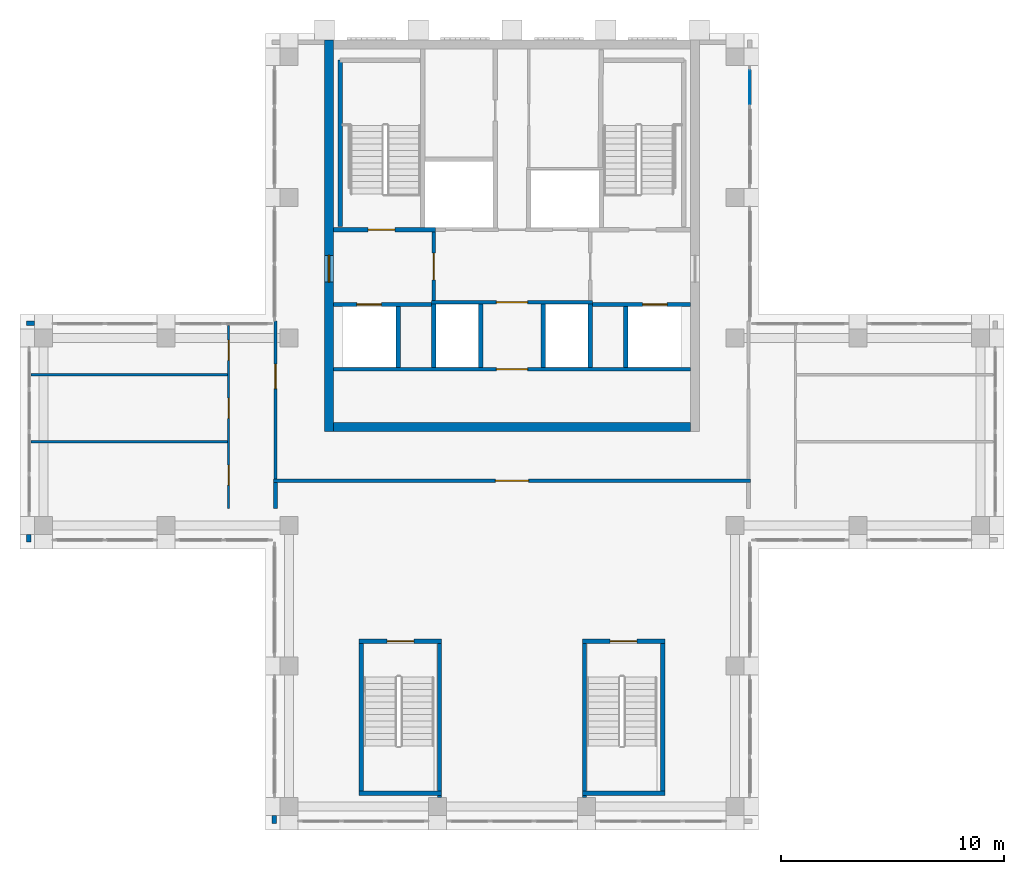
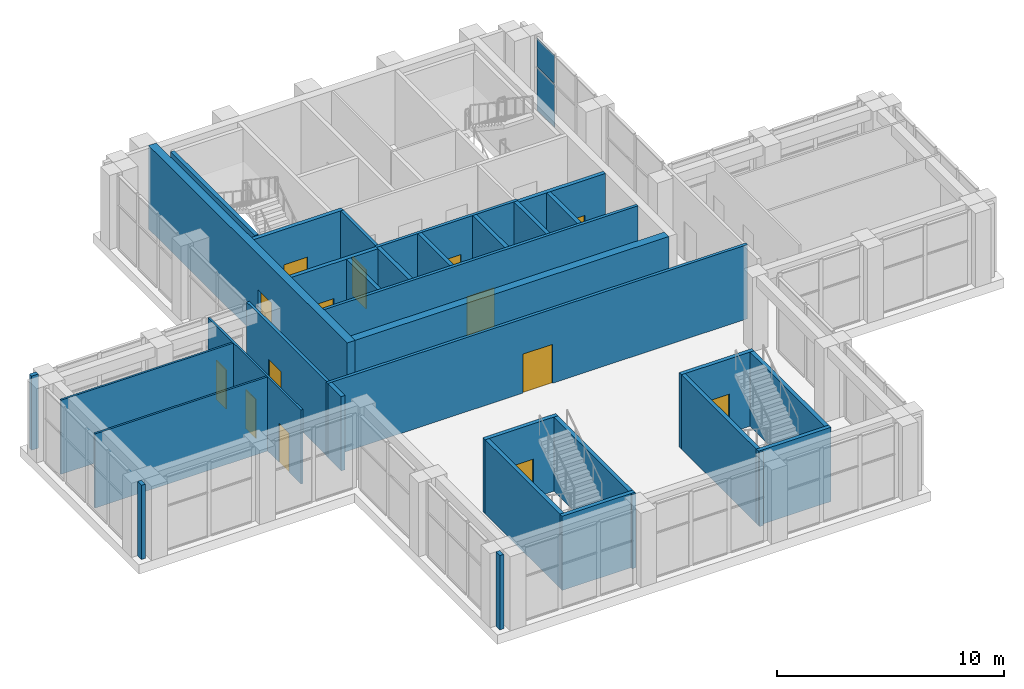
# One storey, part 9 of 14: 32 walls, 14 doors, 2 plates, 14 openings, 1 element without a shape of its own.
"""IFC4 building model written with IfcOpenShell, lengths in metres."""

from ifc_helpers import new_model, si_unit, direction, frame, frame_2d, origin, origin_2d, place, context, subcontext, project, spatial, rectangle, extrude, material, layer, layer_set, type_object, element, fill, aggregate, save


model = new_model("IFC4")

# Units and contexts
model_context = context("Model", 3, precision=1e-05, world=origin(), true_north=direction((0.0, 1.0)))
body_context = subcontext(model_context, "Body", "Model", "MODEL_VIEW")
ifc_project = project(units=[si_unit("LENGTHUNIT", "METRE"), si_unit("AREAUNIT", "SQUARE_METRE"), si_unit("VOLUMEUNIT", "CUBIC_METRE"), si_unit("PLANEANGLEUNIT", "RADIAN"), si_unit("MASSUNIT", "GRAM", prefix="KILO")], contexts=[model_context])

# Site, building, storey
site_placement = place(None, origin())
site = spatial("IfcSite", under=ifc_project, at=site_placement, CompositionType="ELEMENT")
building_placement = place(site_placement, origin())
building = spatial("IfcBuilding", under=site, at=building_placement, Name="Vermilion Ogive Tower", CompositionType="ELEMENT")
storey_placement = place(building_placement, frame((0.0, 0.0, 289.35009765625)))
storey = spatial("IfcBuildingStorey", under=building, at=storey_placement, Name="L75", CompositionType="ELEMENT", Elevation=289.35009765625)

# Curtain wall, plates
ifc_material_1 = material(Name="Low-iron laminated glazing in aluminium frame", Category="aluminium")
curtain_wall_type = type_object("IfcCurtainWallType", Name="Curtain wall CW3", PredefinedType="NOTDEFINED", material=ifc_material_1)
curtain_wall_placement = place(storey_placement, origin())
curtain_wall = element("IfcCurtainWall", 1, at=curtain_wall_placement, inside=storey, type_object=curtain_wall_type, Name="CW3 glazing X42", PredefinedType="NOTDEFINED")
ifc_material_2 = material(Name="Low-iron laminated glazing in aluminium frame", Category="aluminium")
ifc_layer_1 = layer(ifc_material_2, 0.035888671875)
ifc_layer_set_1 = layer_set([ifc_layer_1], Name="CW3 glazing panel 36")
plate_type = type_object("IfcPlateType", Name="CW3 glazing panel 36", PredefinedType="CURTAIN_PANEL", material=ifc_layer_set_1)
plate_1_placement = place(storey_placement, frame((10.64990234375, 19.63330078125, 0.059814453125), z_axis=(0.0, 0.0, 1.0), x_axis=(0.0, 1.0, 0.0)))
plate_1 = element("IfcPlate", 2, at=plate_1_placement, type_object=plate_type, Name="CW3-X42 panel 3.1", PredefinedType="CURTAIN_PANEL", context=body_context, shape_type="SweptSolid", body=[
    extrude(rectangle(XDim=1.533447265625, YDim=0.035888671875, at=origin_2d()), origin(), (0.0, 0.0, 1.0), 2.31005859375),
])
plate_2_placement = place(storey_placement, frame((10.64990234375, 19.63330078125, 2.4296875), z_axis=(0.0, 0.0, 1.0), x_axis=(0.0, 1.0, 0.0)))
plate_2 = element("IfcPlate", 3, at=plate_2_placement, type_object=plate_type, Name="CW3-X42 panel 3.2", PredefinedType="CURTAIN_PANEL", context=body_context, shape_type="SweptSolid", body=[
    extrude(rectangle(XDim=1.533447265625, YDim=0.035888671875, at=origin_2d()), origin(), (0.0, 0.0, 1.0), 1.510009765625),
])
aggregate(curtain_wall, [plate_1, plate_2])

# Wall, opening, door
ifc_material_3 = material(Name="Concrete B60", Category="concrete")
ifc_layer_2 = layer(ifc_material_3, 0.39990234375)
ifc_layer_set_2 = layer_set([ifc_layer_2], Name="Core wall 400 B60")
wall_type_1 = type_object("IfcWallType", Name="Core wall 400 B60", PredefinedType="SHEAR", material=ifc_layer_set_2)
wall_1_placement = place(storey_placement, frame((-8.199951171875, 4.199951171875, -0.5), z_axis=(0.0, 0.0, 1.0), x_axis=(0.0, 1.0, 0.0)))
wall_1 = element("IfcWall", 4, at=wall_1_placement, inside=storey, type_object=wall_type_1, Name="L75-CORE-W", PredefinedType="SHEAR", context=body_context, shape_type="SweptSolid", body=[
    extrude(rectangle(XDim=17.550048828125, YDim=0.39990234375, at=frame_2d((8.77490234375, 0.0))), origin(), (0.0, 0.0, 1.0), 4.5),
])
opening_1_placement = place(wall_1_placement, frame((6.699951171875, 0.0, 0.5)))
opening_1 = element("IfcOpeningElement", 5, at=opening_1_placement, cuts=wall_1, Name="Opening DAZ005", PredefinedType="OPENING", context=body_context, shape_type="SweptSolid", body=[
    extrude(rectangle(XDim=1.199951171875, YDim=2.10009765625, at=frame_2d((0.60009765625, 1.050048828125))), frame((0.0, 0.2099609375, 0.0), z_axis=(0.0, -1.0, 0.0), x_axis=(1.0, 0.0, 0.0)), (0.0, 0.0, 1.0), 0.419921875),
])
ifc_material_4 = material(Name="Timber door leaf", Category="wood")
door_type_1 = type_object("IfcDoorType", Name="Link door 1200 x 2100 FD60S", OperationType="SINGLE_SWING_LEFT", PredefinedType="DOOR", material=ifc_material_4)
door_1_placement = place(opening_1_placement, origin())
door_1 = element("IfcDoor", 6, at=door_1_placement, inside=storey, type_object=door_type_1, Name="L75-CK-XD1", OperationType="SINGLE_SWING_LEFT", OverallHeight=2.10009765625, OverallWidth=1.199951171875, PredefinedType="DOOR", context=body_context, shape_type="SweptSolid", body=[
    extrude(rectangle(XDim=1.199951171875, YDim=2.10009765625, at=frame_2d((0.60009765625, 1.050048828125))), frame((0.0, 0.02490234375, 0.0), z_axis=(0.0, -1.0, 0.0), x_axis=(1.0, 0.0, 0.0)), (0.0, 0.0, 1.0), 0.050048828125),
])
fill(opening_1, door_1)

# Walls
wall_2_placement = place(storey_placement, frame((-8.0, 4.39990234375, -0.5), z_axis=(0.0, 0.0, 1.0), x_axis=(1.0, 0.0, 0.0)))
element("IfcWall", 7, at=wall_2_placement, inside=storey, type_object=wall_type_1, Name="L75-CORE-S", PredefinedType="SHEAR", context=body_context, shape_type="SweptSolid", body=[
    extrude(rectangle(XDim=16.0, YDim=0.39990234375, at=frame_2d((8.0, 0.0))), origin(), (0.0, 0.0, 1.0), 4.5),
])
ifc_material_5 = material(Name="Gypsum board partition on steel studs", Category="steel")
ifc_layer_3 = layer(ifc_material_5, 0.10009765625)
ifc_layer_set_3 = layer_set([ifc_layer_3], Name="Partition 100 bath")
wall_type_2 = type_object("IfcWallType", Name="Partition 100 bath", PredefinedType="PARTITIONING", material=ifc_layer_set_3)
for number, where, z_axis, x_axis, name in (
    (8, (-21.550048828125, 3.75, 0.0), (0.0, 0.0, 1.0), (1.0, 0.0, 0.0), "L75-FS-W-W002"),
    (9, (-21.550048828125, 6.75, 0.0), (0.0, 0.0, 1.0), (1.0, 0.0, 0.0), "L75-FS-W-W004"),
):
    element("IfcWall", number, at=place(storey_placement, frame(where, z_axis=z_axis, x_axis=x_axis)), inside=storey, type_object=wall_type_2, Name=name, PredefinedType="PARTITIONING", context=body_context, shape_type="SweptSolid", body=[
        extrude(rectangle(XDim=8.800048828125, YDim=0.10009765625, at=frame_2d((4.39990234375, 0.0))), origin(), (0.0, 0.0, 1.0), 4.0),
    ])

# Wall, openings, doors
wall_3_placement = place(storey_placement, frame((-12.699951171875, 0.75, 0.0), z_axis=(0.0, 0.0, 1.0), x_axis=(0.0, 1.0, 0.0)))
wall_3 = element("IfcWall", 10, at=wall_3_placement, inside=storey, type_object=wall_type_2, Name="L75-FS-W-W006", PredefinedType="PARTITIONING", context=body_context, shape_type="SweptSolid", body=[
    extrude(rectangle(XDim=8.199951171875, YDim=0.10009765625, at=frame_2d((4.10009765625, 0.0))), origin(), (0.0, 0.0, 1.0), 4.0),
])
opening_2_placement = place(wall_3_placement, frame((1.050048828125, 0.0, 0.0)))
opening_2 = element("IfcOpeningElement", 11, at=opening_2_placement, cuts=wall_3, Name="Opening L75S003", PredefinedType="OPENING", context=body_context, shape_type="SweptSolid", body=[
    extrude(rectangle(XDim=0.89990234375, YDim=2.10009765625, at=frame_2d((0.449951171875, 1.050048828125))), frame((0.0, 0.06005859375, 0.0), z_axis=(0.0, -1.0, 0.0), x_axis=(1.0, 0.0, 0.0)), (0.0, 0.0, 1.0), 0.1201171875),
])
opening_3_placement = place(wall_3_placement, frame((4.050048828125, 0.0, 0.0)))
opening_3 = element("IfcOpeningElement", 12, at=opening_3_placement, cuts=wall_3, Name="Opening L75S004", PredefinedType="OPENING", context=body_context, shape_type="SweptSolid", body=[
    extrude(rectangle(XDim=0.89990234375, YDim=2.10009765625, at=frame_2d((0.449951171875, 1.050048828125))), frame((0.0, 0.06005859375, 0.0), z_axis=(0.0, -1.0, 0.0), x_axis=(1.0, 0.0, 0.0)), (0.0, 0.0, 1.0), 0.1201171875),
])
opening_4_placement = place(wall_3_placement, frame((6.64990234375, 0.0, 0.0)))
opening_4 = element("IfcOpeningElement", 13, at=opening_4_placement, cuts=wall_3, Name="Opening L75S005", PredefinedType="OPENING", context=body_context, shape_type="SweptSolid", body=[
    extrude(rectangle(XDim=0.89990234375, YDim=2.10009765625, at=frame_2d((0.449951171875, 1.050048828125))), frame((0.0, 0.06005859375, 0.0), z_axis=(0.0, -1.0, 0.0), x_axis=(1.0, 0.0, 0.0)), (0.0, 0.0, 1.0), 0.1201171875),
])
ifc_material_6 = material(Name="Timber door leaf", Category="wood")
door_type_2 = type_object("IfcDoorType", Name="Room door 900 x 2100 FD30", OperationType="SINGLE_SWING_LEFT", PredefinedType="DOOR", material=ifc_material_6)
door_2_placement = place(opening_2_placement, origin())
door_2 = element("IfcDoor", 14, at=door_2_placement, inside=storey, type_object=door_type_2, Name="L75-FS-D-D003", OperationType="SINGLE_SWING_LEFT", OverallHeight=2.10009765625, OverallWidth=0.89990234375, PredefinedType="DOOR", context=body_context, shape_type="SweptSolid", body=[
    extrude(rectangle(XDim=0.89990234375, YDim=2.10009765625, at=frame_2d((0.449951171875, 1.050048828125))), frame((0.0, 0.02490234375, 0.0), z_axis=(0.0, -1.0, 0.0), x_axis=(1.0, 0.0, 0.0)), (0.0, 0.0, 1.0), 0.050048828125),
])
fill(opening_2, door_2)
door_3_placement = place(opening_3_placement, origin())
door_3 = element("IfcDoor", 15, at=door_3_placement, inside=storey, type_object=door_type_2, Name="L75-FS-D-D004", OperationType="SINGLE_SWING_LEFT", OverallHeight=2.10009765625, OverallWidth=0.89990234375, PredefinedType="DOOR", context=body_context, shape_type="SweptSolid", body=[
    extrude(rectangle(XDim=0.89990234375, YDim=2.10009765625, at=frame_2d((0.449951171875, 1.050048828125))), frame((0.0, 0.02490234375, 0.0), z_axis=(0.0, -1.0, 0.0), x_axis=(1.0, 0.0, 0.0)), (0.0, 0.0, 1.0), 0.050048828125),
])
fill(opening_3, door_3)
door_4_placement = place(opening_4_placement, origin())
door_4 = element("IfcDoor", 16, at=door_4_placement, inside=storey, type_object=door_type_2, Name="L75-FS-D-D005", OperationType="SINGLE_SWING_LEFT", OverallHeight=2.10009765625, OverallWidth=0.89990234375, PredefinedType="DOOR", context=body_context, shape_type="SweptSolid", body=[
    extrude(rectangle(XDim=0.89990234375, YDim=2.10009765625, at=frame_2d((0.449951171875, 1.050048828125))), frame((0.0, 0.02490234375, 0.0), z_axis=(0.0, -1.0, 0.0), x_axis=(1.0, 0.0, 0.0)), (0.0, 0.0, 1.0), 0.050048828125),
])
fill(opening_4, door_4)

# Wall, opening, door
ifc_material_7 = material(Name="Gypsum board partition on steel studs", Category="steel")
ifc_layer_4 = layer(ifc_material_7, 0.14990234375)
ifc_layer_set_4 = layer_set([ifc_layer_4], Name="Partition 150 corridor")
wall_type_3 = type_object("IfcWallType", Name="Partition 150 corridor", PredefinedType="PARTITIONING", material=ifc_layer_set_4)
wall_4_placement = place(storey_placement, frame((-10.699951171875, 2.0, 0.0), z_axis=(0.0, 0.0, 1.0), x_axis=(1.0, 0.0, 0.0)))
wall_4 = element("IfcWall", 17, at=wall_4_placement, inside=storey, type_object=wall_type_3, Name="L75-FS-W-W001", PredefinedType="PARTITIONING", context=body_context, shape_type="SweptSolid", body=[
    extrude(rectangle(XDim=21.39990234375, YDim=0.14990234375, at=frame_2d((10.699951171875, 0.0))), origin(), (0.0, 0.0, 1.0), 4.0),
])
opening_5_placement = place(wall_4_placement, frame((9.949951171875, 0.0, 0.0)))
opening_5 = element("IfcOpeningElement", 18, at=opening_5_placement, cuts=wall_4, Name="Opening L75S001", PredefinedType="OPENING", context=body_context, shape_type="SweptSolid", body=[
    extrude(rectangle(XDim=1.5, YDim=2.10009765625, at=frame_2d((0.75, 1.050048828125))), frame((0.0, 0.0849609375, 0.0), z_axis=(0.0, -1.0, 0.0), x_axis=(1.0, 0.0, 0.0)), (0.0, 0.0, 1.0), 0.169921875),
])
ifc_material_8 = material(Name="Timber door leaf", Category="wood")
door_type_3 = type_object("IfcDoorType", Name="Assembly door 1500 x 2100 FD30", OperationType="DOUBLE_DOOR_SINGLE_SWING", PredefinedType="DOOR", material=ifc_material_8)
door_5_placement = place(opening_5_placement, origin())
door_5 = element("IfcDoor", 19, at=door_5_placement, inside=storey, type_object=door_type_3, Name="L75-FS-D-D001", OperationType="DOUBLE_DOOR_SINGLE_SWING", OverallHeight=2.10009765625, OverallWidth=1.5, PredefinedType="DOOR", context=body_context, shape_type="SweptSolid", body=[
    extrude(rectangle(XDim=1.5, YDim=2.10009765625, at=frame_2d((0.75, 1.050048828125))), frame((0.0, 0.02490234375, 0.0), z_axis=(0.0, -1.0, 0.0), x_axis=(1.0, 0.0, 0.0)), (0.0, 0.0, 1.0), 0.050048828125),
])
fill(opening_5, door_5)

wall_5_placement = place(storey_placement, frame((-10.60009765625, 2.074951171875, 0.0), z_axis=(0.0, 0.0, 1.0), x_axis=(0.0, 1.0, 0.0)))
wall_5 = element("IfcWall", 20, at=wall_5_placement, inside=storey, type_object=wall_type_3, Name="L75-FS-W-W008", PredefinedType="PARTITIONING", context=body_context, shape_type="SweptSolid", body=[
    extrude(rectangle(XDim=7.074951171875, YDim=0.14990234375, at=frame_2d((3.53759765625, 0.0))), origin(), (0.0, 0.0, 1.0), 4.0),
])
opening_6_placement = place(wall_5_placement, frame((4.050048828125, 0.0, 0.0)))
opening_6 = element("IfcOpeningElement", 21, at=opening_6_placement, cuts=wall_5, Name="Opening L75S002", PredefinedType="OPENING", context=body_context, shape_type="SweptSolid", body=[
    extrude(rectangle(XDim=1.10009765625, YDim=2.10009765625, at=frame_2d((0.550048828125, 1.050048828125))), frame((0.0, 0.0849609375, 0.0), z_axis=(0.0, -1.0, 0.0), x_axis=(1.0, 0.0, 0.0)), (0.0, 0.0, 1.0), 0.169921875),
])
ifc_material_9 = material(Name="Timber door leaf", Category="wood")
door_type_4 = type_object("IfcDoorType", Name="Wc door 1100 x 2100 FD30", OperationType="SINGLE_SWING_LEFT", PredefinedType="DOOR", material=ifc_material_9)
door_6_placement = place(opening_6_placement, origin())
door_6 = element("IfcDoor", 22, at=door_6_placement, inside=storey, type_object=door_type_4, Name="L75-FS-D-D002", OperationType="SINGLE_SWING_LEFT", OverallHeight=2.10009765625, OverallWidth=1.10009765625, PredefinedType="DOOR", context=body_context, shape_type="SweptSolid", body=[
    extrude(rectangle(XDim=1.10009765625, YDim=2.10009765625, at=frame_2d((0.550048828125, 1.050048828125))), frame((0.0, 0.02490234375, 0.0), z_axis=(0.0, -1.0, 0.0), x_axis=(1.0, 0.0, 0.0)), (0.0, 0.0, 1.0), 0.050048828125),
])
fill(opening_6, door_6)

wall_6_placement = place(storey_placement, frame((-7.9990234375, 7.0, 0.0), z_axis=(0.0, 0.0, 1.0), x_axis=(1.0, 0.0, 0.0)))
wall_6 = element("IfcWall", 23, at=wall_6_placement, inside=storey, type_object=wall_type_3, Name="L75-CK-W-W001", PredefinedType="PARTITIONING", context=body_context, shape_type="SweptSolid", body=[
    extrude(rectangle(XDim=15.998046875, YDim=0.14990234375, at=frame_2d((7.9990234375, 0.0))), origin(), (0.0, 0.0, 1.0), 4.0),
])
opening_7_placement = place(wall_6_placement, frame((7.299072265625, 0.0, 0.0)))
opening_7 = element("IfcOpeningElement", 24, at=opening_7_placement, cuts=wall_6, Name="Opening DAE058", PredefinedType="OPENING", context=body_context, shape_type="SweptSolid", body=[
    extrude(rectangle(XDim=1.39990234375, YDim=2.10009765625, at=frame_2d((0.699951171875, 1.050048828125))), frame((0.0, 0.0849609375, 0.0), z_axis=(0.0, -1.0, 0.0), x_axis=(1.0, 0.0, 0.0)), (0.0, 0.0, 1.0), 0.169921875),
])
ifc_material_10 = material(Name="Timber door leaf", Category="wood")
door_type_5 = type_object("IfcDoorType", Name="Lobby door 1400 x 2100 FD60S", OperationType="SINGLE_SWING_LEFT", PredefinedType="DOOR", material=ifc_material_10)
door_7_placement = place(opening_7_placement, origin())
door_7 = element("IfcDoor", 25, at=door_7_placement, inside=storey, type_object=door_type_5, Name="L75-CK-D-D005", OperationType="SINGLE_SWING_RIGHT", OverallHeight=2.10009765625, OverallWidth=1.39990234375, PredefinedType="DOOR", context=body_context, shape_type="SweptSolid", body=[
    extrude(rectangle(XDim=1.39990234375, YDim=2.10009765625, at=frame_2d((0.699951171875, 1.050048828125))), frame((0.0, 0.02490234375, 0.0), z_axis=(0.0, -1.0, 0.0), x_axis=(1.0, 0.0, 0.0)), (0.0, 0.0, 1.0), 0.050048828125),
])
fill(opening_7, door_7)

wall_7_placement = place(storey_placement, frame((-3.60009765625, 10.0, 0.0), z_axis=(0.0, 0.0, 1.0), x_axis=(1.0, 0.0, 0.0)))
wall_7 = element("IfcWall", 26, at=wall_7_placement, inside=storey, type_object=wall_type_3, Name="L75-CK-W-W004", PredefinedType="PARTITIONING", context=body_context, shape_type="SweptSolid", body=[
    extrude(rectangle(XDim=7.2001953125, YDim=0.14990234375, at=frame_2d((3.60009765625, 0.0))), origin(), (0.0, 0.0, 1.0), 4.0),
])
opening_8_placement = place(wall_7_placement, frame((2.900146484375, 0.0, 0.0)))
opening_8 = element("IfcOpeningElement", 27, at=opening_8_placement, cuts=wall_7, Name="Opening DAE059", PredefinedType="OPENING", context=body_context, shape_type="SweptSolid", body=[
    extrude(rectangle(XDim=1.39990234375, YDim=2.10009765625, at=frame_2d((0.699951171875, 1.050048828125))), frame((0.0, 0.0849609375, 0.0), z_axis=(0.0, -1.0, 0.0), x_axis=(1.0, 0.0, 0.0)), (0.0, 0.0, 1.0), 0.169921875),
])
door_8_placement = place(opening_8_placement, origin())
door_8 = element("IfcDoor", 28, at=door_8_placement, inside=storey, type_object=door_type_5, Name="L75-CK-D-D006", OperationType="SINGLE_SWING_RIGHT", OverallHeight=2.10009765625, OverallWidth=1.39990234375, PredefinedType="DOOR", context=body_context, shape_type="SweptSolid", body=[
    extrude(rectangle(XDim=1.39990234375, YDim=2.10009765625, at=frame_2d((0.699951171875, 1.050048828125))), frame((0.0, 0.02490234375, 0.0), z_axis=(0.0, -1.0, 0.0), x_axis=(1.0, 0.0, 0.0)), (0.0, 0.0, 1.0), 0.050048828125),
])
fill(opening_8, door_8)

wall_8_placement = place(storey_placement, frame((-3.5, 10.074951171875, 0.0), z_axis=(0.0, 0.0, 1.0), x_axis=(0.0, 1.0, 0.0)))
wall_8 = element("IfcWall", 29, at=wall_8_placement, inside=storey, type_object=wall_type_3, Name="L75-CK-W-W013", PredefinedType="PARTITIONING", context=body_context, shape_type="SweptSolid", body=[
    extrude(rectangle(XDim=3.074951171875, YDim=0.14990234375, at=frame_2d((1.53759765625, 0.0))), origin(), (0.0, 0.0, 1.0), 4.0),
])
opening_9_placement = place(wall_8_placement, frame((0.925048828125, 0.0, 0.0)))
opening_9 = element("IfcOpeningElement", 30, at=opening_9_placement, cuts=wall_8, Name="Opening DAE056", PredefinedType="OPENING", context=body_context, shape_type="SweptSolid", body=[
    extrude(rectangle(XDim=1.199951171875, YDim=2.10009765625, at=frame_2d((0.60009765625, 1.050048828125))), frame((0.0, 0.0849609375, 0.0), z_axis=(0.0, -1.0, 0.0), x_axis=(1.0, 0.0, 0.0)), (0.0, 0.0, 1.0), 0.169921875),
])
ifc_material_11 = material(Name="Timber door leaf", Category="wood")
door_type_6 = type_object("IfcDoorType", Name="Lobby door 1200 x 2100 FD60S", OperationType="SINGLE_SWING_LEFT", PredefinedType="DOOR", material=ifc_material_11)
door_9_placement = place(opening_9_placement, origin())
door_9 = element("IfcDoor", 31, at=door_9_placement, inside=storey, type_object=door_type_6, Name="L75-CK-D-D012", OperationType="SINGLE_SWING_RIGHT", OverallHeight=2.10009765625, OverallWidth=1.199951171875, PredefinedType="DOOR", context=body_context, shape_type="SweptSolid", body=[
    extrude(rectangle(XDim=1.199951171875, YDim=2.10009765625, at=frame_2d((0.60009765625, 1.050048828125))), frame((0.0, 0.02490234375, 0.0), z_axis=(0.0, -1.0, 0.0), x_axis=(1.0, 0.0, 0.0)), (0.0, 0.0, 1.0), 0.050048828125),
])
fill(opening_9, door_9)

# Wall
ifc_material_12 = material(Name="Gypsum board partition on steel studs", Category="steel")
ifc_layer_5 = layer(ifc_material_12, 0.199951171875)
ifc_layer_set_5 = layer_set([ifc_layer_5], Name="Partition 200 party")
wall_type_4 = type_object("IfcWallType", Name="Partition 200 party", PredefinedType="PARTITIONING", material=ifc_layer_set_5)
wall_9_placement = place(storey_placement, frame((-10.60009765625, 0.75, 0.0), z_axis=(0.0, 0.0, 1.0), x_axis=(0.0, 1.0, 0.0)))
element("IfcWall", 32, at=wall_9_placement, inside=storey, type_object=wall_type_4, Name="L75-FS-W-W007", PredefinedType="PARTITIONING", context=body_context, shape_type="SweptSolid", body=[
    extrude(rectangle(XDim=1.175048828125, YDim=0.199951171875, at=frame_2d((0.58740234375, 0.0))), origin(), (0.0, 0.0, 1.0), 4.0),
])

# Wall, opening, door
wall_10_placement = place(storey_placement, frame((-7.9990234375, 9.89990234375, 0.0), z_axis=(0.0, 0.0, 1.0), x_axis=(1.0, 0.0, 0.0)))
wall_10 = element("IfcWall", 33, at=wall_10_placement, inside=storey, type_object=wall_type_4, Name="L75-CK-W-W002", PredefinedType="PARTITIONING", context=body_context, shape_type="SweptSolid", body=[
    extrude(rectangle(XDim=4.39892578125, YDim=0.199951171875, at=frame_2d((2.199462890625, 0.0))), origin(), (0.0, 0.0, 1.0), 4.0),
])
opening_10_placement = place(wall_10_placement, frame((1.049072265625, 0.0, 0.0)))
opening_10 = element("IfcOpeningElement", 34, at=opening_10_placement, cuts=wall_10, Name="Opening DAE065", PredefinedType="OPENING", context=body_context, shape_type="SweptSolid", body=[
    extrude(rectangle(XDim=1.10009765625, YDim=2.10009765625, at=frame_2d((0.550048828125, 1.050048828125))), frame((0.0, 0.10986328125, 0.0), z_axis=(0.0, -1.0, 0.0), x_axis=(1.0, 0.0, 0.0)), (0.0, 0.0, 1.0), 0.219970703125),
])
ifc_material_13 = material(Name="Stainless steel", Category="steel")
door_type_7 = type_object("IfcDoorType", Name="Lift landing door 1100 x 2100", OperationType="SLIDING_TO_LEFT", PredefinedType="DOOR", material=ifc_material_13)
door_10_placement = place(opening_10_placement, origin())
door_10 = element("IfcDoor", 35, at=door_10_placement, inside=storey, type_object=door_type_7, Name="L75-CK-D-D002", OperationType="SLIDING_TO_LEFT", OverallHeight=2.10009765625, OverallWidth=1.10009765625, PredefinedType="DOOR", context=body_context, shape_type="SweptSolid", body=[
    extrude(rectangle(XDim=1.10009765625, YDim=2.10009765625, at=frame_2d((0.550048828125, 1.050048828125))), frame((0.0, 0.02490234375, 0.0), z_axis=(0.0, -1.0, 0.0), x_axis=(1.0, 0.0, 0.0)), (0.0, 0.0, 1.0), 0.050048828125),
])
fill(opening_10, door_10)

wall_11_placement = place(storey_placement, frame((3.60009765625, 9.89990234375, 0.0), z_axis=(0.0, 0.0, 1.0), x_axis=(1.0, 0.0, 0.0)))
wall_11 = element("IfcWall", 36, at=wall_11_placement, inside=storey, type_object=wall_type_4, Name="L75-CK-W-W003", PredefinedType="PARTITIONING", context=body_context, shape_type="SweptSolid", body=[
    extrude(rectangle(XDim=4.39892578125, YDim=0.199951171875, at=frame_2d((2.199462890625, 0.0))), origin(), (0.0, 0.0, 1.0), 4.0),
])
opening_11_placement = place(wall_11_placement, frame((2.25, 0.0, 0.0)))
opening_11 = element("IfcOpeningElement", 37, at=opening_11_placement, cuts=wall_11, Name="Opening DAE066", PredefinedType="OPENING", context=body_context, shape_type="SweptSolid", body=[
    extrude(rectangle(XDim=1.10009765625, YDim=2.10009765625, at=frame_2d((0.550048828125, 1.050048828125))), frame((0.0, 0.10986328125, 0.0), z_axis=(0.0, -1.0, 0.0), x_axis=(1.0, 0.0, 0.0)), (0.0, 0.0, 1.0), 0.219970703125),
])
door_11_placement = place(opening_11_placement, origin())
door_11 = element("IfcDoor", 38, at=door_11_placement, inside=storey, type_object=door_type_7, Name="L75-CK-D-D004", OperationType="SLIDING_TO_LEFT", OverallHeight=2.10009765625, OverallWidth=1.10009765625, PredefinedType="DOOR", context=body_context, shape_type="SweptSolid", body=[
    extrude(rectangle(XDim=1.10009765625, YDim=2.10009765625, at=frame_2d((0.550048828125, 1.050048828125))), frame((0.0, 0.02490234375, 0.0), z_axis=(0.0, -1.0, 0.0), x_axis=(1.0, 0.0, 0.0)), (0.0, 0.0, 1.0), 0.050048828125),
])
fill(opening_11, door_11)

# Walls
wall_12_placement = place(storey_placement, frame((-5.10009765625, 7.074951171875, 0.0), z_axis=(0.0, 0.0, 1.0), x_axis=(0.0, 1.0, 0.0)))
element("IfcWall", 39, at=wall_12_placement, inside=storey, type_object=wall_type_4, Name="L75-CK-W-W010", PredefinedType="PARTITIONING", context=body_context, shape_type="SweptSolid", body=[
    extrude(rectangle(XDim=2.72509765625, YDim=0.199951171875, at=frame_2d((1.362548828125, 0.0))), origin(), (0.0, 0.0, 1.0), 4.0),
])
for number, where, z_axis, x_axis, name in (
    (40, (-3.5, 7.074951171875, 0.0), (0.0, 0.0, 1.0), (0.0, 1.0, 0.0), "L75-CK-W-W012"),
    (41, (-1.39990234375, 7.074951171875, 0.0), (0.0, 0.0, 1.0), (0.0, 1.0, 0.0), "L75-CK-W-W014"),
    (42, (1.39990234375, 7.074951171875, 0.0), (0.0, 0.0, 1.0), (0.0, 1.0, 0.0), "L75-CK-W-W018"),
    (43, (3.5, 7.074951171875, 0.0), (0.0, 0.0, 1.0), (0.0, 1.0, 0.0), "L75-CK-W-W019"),
):
    element("IfcWall", number, at=place(storey_placement, frame(where, z_axis=z_axis, x_axis=x_axis)), inside=storey, type_object=wall_type_4, Name=name, PredefinedType="PARTITIONING", context=body_context, shape_type="SweptSolid", body=[
        extrude(rectangle(XDim=2.85009765625, YDim=0.199951171875, at=frame_2d((1.425048828125, 0.0))), origin(), (0.0, 0.0, 1.0), 4.0),
    ])
wall_13_placement = place(storey_placement, frame((5.10009765625, 7.074951171875, 0.0), z_axis=(0.0, 0.0, 1.0), x_axis=(0.0, 1.0, 0.0)))
element("IfcWall", 44, at=wall_13_placement, inside=storey, type_object=wall_type_4, Name="L75-CK-W-W023", PredefinedType="PARTITIONING", context=body_context, shape_type="SweptSolid", body=[
    extrude(rectangle(XDim=2.72509765625, YDim=0.199951171875, at=frame_2d((1.362548828125, 0.0))), origin(), (0.0, 0.0, 1.0), 4.0),
])

# Wall, opening, door
ifc_material_14 = material(Name="Concrete B60", Category="concrete")
ifc_layer_6 = layer(ifc_material_14, 0.199951171875)
ifc_layer_set_6 = layer_set([ifc_layer_6], Name="Stair enclosure wall 200 Concrete B60")
wall_type_5 = type_object("IfcWallType", Name="Stair enclosure wall 200 Concrete B60", PredefinedType="PARTITIONING", material=ifc_layer_set_6)
wall_14_placement = place(storey_placement, frame((3.14990234375, -5.199951171875, 0.0), z_axis=(0.0, 0.0, 1.0), x_axis=(1.0, 0.0, 0.0)))
wall_14 = element("IfcWall", 45, at=wall_14_placement, inside=storey, type_object=wall_type_5, Name="L75-SW-ST6-N1", PredefinedType="PARTITIONING", context=body_context, shape_type="SweptSolid", body=[
    extrude(rectangle(XDim=3.7001953125, YDim=0.199951171875, at=frame_2d((1.85009765625, 0.0))), origin(), (0.0, 0.0, 1.0), 4.0),
])
opening_12_placement = place(wall_14_placement, frame((1.25, 0.0, 0.0)))
opening_12 = element("IfcOpeningElement", 46, at=opening_12_placement, cuts=wall_14, Name="Opening L75-SD6", PredefinedType="OPENING", context=body_context, shape_type="SweptSolid", body=[
    extrude(rectangle(XDim=1.199951171875, YDim=2.10009765625, at=frame_2d((0.60009765625, 1.050048828125))), frame((0.0, 0.10986328125, 0.0), z_axis=(0.0, -1.0, 0.0), x_axis=(1.0, 0.0, 0.0)), (0.0, 0.0, 1.0), 0.219970703125),
])
ifc_material_15 = material(Name="Timber door leaf", Category="wood")
door_type_8 = type_object("IfcDoorType", Name="Stair door 1200 x 2100 FD60S", OperationType="SINGLE_SWING_LEFT", PredefinedType="DOOR", material=ifc_material_15)
door_12_placement = place(opening_12_placement, origin())
door_12 = element("IfcDoor", 47, at=door_12_placement, inside=storey, type_object=door_type_8, Name="Stair door ST6", OperationType="SINGLE_SWING_LEFT", OverallHeight=2.10009765625, OverallWidth=1.199951171875, PredefinedType="DOOR", context=body_context, shape_type="SweptSolid", body=[
    extrude(rectangle(XDim=1.199951171875, YDim=2.10009765625, at=frame_2d((0.60009765625, 1.050048828125))), frame((0.0, 0.02490234375, 0.0), z_axis=(0.0, -1.0, 0.0), x_axis=(1.0, 0.0, 0.0)), (0.0, 0.0, 1.0), 0.050048828125),
])
fill(opening_12, door_12)

wall_15_placement = place(storey_placement, frame((-6.85009765625, -5.199951171875, 0.0), z_axis=(0.0, 0.0, 1.0), x_axis=(1.0, 0.0, 0.0)))
wall_15 = element("IfcWall", 48, at=wall_15_placement, inside=storey, type_object=wall_type_5, Name="L75-SW-ST7-N1", PredefinedType="PARTITIONING", context=body_context, shape_type="SweptSolid", body=[
    extrude(rectangle(XDim=3.7001953125, YDim=0.199951171875, at=frame_2d((1.85009765625, 0.0))), origin(), (0.0, 0.0, 1.0), 4.0),
])
opening_13_placement = place(wall_15_placement, frame((1.25, 0.0, 0.0)))
opening_13 = element("IfcOpeningElement", 49, at=opening_13_placement, cuts=wall_15, Name="Opening L75-SD7", PredefinedType="OPENING", context=body_context, shape_type="SweptSolid", body=[
    extrude(rectangle(XDim=1.199951171875, YDim=2.10009765625, at=frame_2d((0.60009765625, 1.050048828125))), frame((0.0, 0.10986328125, 0.0), z_axis=(0.0, -1.0, 0.0), x_axis=(1.0, 0.0, 0.0)), (0.0, 0.0, 1.0), 0.219970703125),
])
door_13_placement = place(opening_13_placement, origin())
door_13 = element("IfcDoor", 50, at=door_13_placement, inside=storey, type_object=door_type_8, Name="Stair door ST7", OperationType="SINGLE_SWING_LEFT", OverallHeight=2.10009765625, OverallWidth=1.199951171875, PredefinedType="DOOR", context=body_context, shape_type="SweptSolid", body=[
    extrude(rectangle(XDim=1.199951171875, YDim=2.10009765625, at=frame_2d((0.60009765625, 1.050048828125))), frame((0.0, 0.02490234375, 0.0), z_axis=(0.0, -1.0, 0.0), x_axis=(1.0, 0.0, 0.0)), (0.0, 0.0, 1.0), 0.050048828125),
])
fill(opening_13, door_13)

ifc_material_16 = material(Name="Concrete B60", Category="concrete")
ifc_layer_7 = layer(ifc_material_16, 0.199951171875)
ifc_layer_set_7 = layer_set([ifc_layer_7], Name="Stair shaft wall 200 Concrete B60")
wall_type_6 = type_object("IfcWallType", Name="Stair shaft wall 200 Concrete B60", PredefinedType="SOLIDWALL", material=ifc_layer_set_7)
wall_16_placement = place(storey_placement, frame((-7.9990234375, 13.25, 0.0), z_axis=(0.0, 0.0, 1.0), x_axis=(1.0, 0.0, 0.0)))
wall_16 = element("IfcWall", 51, at=wall_16_placement, inside=storey, type_object=wall_type_6, Name="L75-CK-W-W005", PredefinedType="SOLIDWALL", context=body_context, shape_type="SweptSolid", body=[
    extrude(rectangle(XDim=4.573974609375, YDim=0.199951171875, at=frame_2d((2.287109375, 0.0))), origin(), (0.0, 0.0, 1.0), 4.0),
])
opening_14_placement = place(wall_16_placement, frame((1.549072265625, 0.0, 0.0)))
opening_14 = element("IfcOpeningElement", 52, at=opening_14_placement, cuts=wall_16, Name="Opening DAE063", PredefinedType="OPENING", context=body_context, shape_type="SweptSolid", body=[
    extrude(rectangle(XDim=1.199951171875, YDim=2.10009765625, at=frame_2d((0.60009765625, 1.050048828125))), frame((0.0, 0.10986328125, 0.0), z_axis=(0.0, -1.0, 0.0), x_axis=(1.0, 0.0, 0.0)), (0.0, 0.0, 1.0), 0.219970703125),
])
door_14_placement = place(opening_14_placement, origin())
door_14 = element("IfcDoor", 53, at=door_14_placement, inside=storey, type_object=door_type_8, Name="L75-CK-D-D001", OperationType="SINGLE_SWING_LEFT", OverallHeight=2.10009765625, OverallWidth=1.199951171875, PredefinedType="DOOR", context=body_context, shape_type="SweptSolid", body=[
    extrude(rectangle(XDim=1.199951171875, YDim=2.10009765625, at=frame_2d((0.60009765625, 1.050048828125))), frame((0.0, 0.02490234375, 0.0), z_axis=(0.0, -1.0, 0.0), x_axis=(1.0, 0.0, 0.0)), (0.0, 0.0, 1.0), 0.050048828125),
])
fill(opening_14, door_14)

# Walls
wall_17_placement = place(storey_placement, frame((3.14990234375, -12.0, 0.0), z_axis=(0.0, 0.0, 1.0), x_axis=(1.0, 0.0, 0.0)))
element("IfcWall", 54, at=wall_17_placement, inside=storey, type_object=wall_type_6, Name="L75-SW-ST6-S1", PredefinedType="SOLIDWALL", context=body_context, shape_type="SweptSolid", body=[
    extrude(rectangle(XDim=3.7001953125, YDim=0.199951171875, at=frame_2d((1.85009765625, 0.0))), origin(), (0.0, 0.0, 1.0), 4.0),
])
wall_18_placement = place(storey_placement, frame((3.25, -12.199951171875, 0.0), z_axis=(0.0, 0.0, 1.0), x_axis=(0.0, 1.0, 0.0)))
element("IfcWall", 55, at=wall_18_placement, inside=storey, type_object=wall_type_6, Name="L75-SW-ST6-W1", PredefinedType="SOLIDWALL", context=body_context, shape_type="SweptSolid", body=[
    extrude(rectangle(XDim=6.89990234375, YDim=0.199951171875, at=frame_2d((3.449951171875, 0.0))), origin(), (0.0, 0.0, 1.0), 4.0),
])
wall_19_placement = place(storey_placement, frame((6.75, -11.89990234375, 0.0), z_axis=(0.0, 0.0, 1.0), x_axis=(0.0, 1.0, 0.0)))
element("IfcWall", 56, at=wall_19_placement, inside=storey, type_object=wall_type_6, Name="L75-SW-ST6-E1", PredefinedType="SOLIDWALL", context=body_context, shape_type="SweptSolid", body=[
    extrude(rectangle(XDim=6.599853515625, YDim=0.199951171875, at=frame_2d((3.2998046875, 0.0))), origin(), (0.0, 0.0, 1.0), 4.0),
])
wall_20_placement = place(storey_placement, frame((-6.85009765625, -12.0, 0.0), z_axis=(0.0, 0.0, 1.0), x_axis=(1.0, 0.0, 0.0)))
element("IfcWall", 57, at=wall_20_placement, inside=storey, type_object=wall_type_6, Name="L75-SW-ST7-S1", PredefinedType="SOLIDWALL", context=body_context, shape_type="SweptSolid", body=[
    extrude(rectangle(XDim=3.7001953125, YDim=0.199951171875, at=frame_2d((1.85009765625, 0.0))), origin(), (0.0, 0.0, 1.0), 4.0),
])
wall_21_placement = place(storey_placement, frame((-6.75, -11.89990234375, 0.0), z_axis=(0.0, 0.0, 1.0), x_axis=(0.0, 1.0, 0.0)))
element("IfcWall", 58, at=wall_21_placement, inside=storey, type_object=wall_type_6, Name="L75-SW-ST7-W1", PredefinedType="SOLIDWALL", context=body_context, shape_type="SweptSolid", body=[
    extrude(rectangle(XDim=6.599853515625, YDim=0.199951171875, at=frame_2d((3.2998046875, 0.0))), origin(), (0.0, 0.0, 1.0), 4.0),
])
wall_22_placement = place(storey_placement, frame((-3.25, -12.199951171875, 0.0), z_axis=(0.0, 0.0, 1.0), x_axis=(0.0, 1.0, 0.0)))
element("IfcWall", 59, at=wall_22_placement, inside=storey, type_object=wall_type_6, Name="L75-SW-ST7-E1", PredefinedType="SOLIDWALL", context=body_context, shape_type="SweptSolid", body=[
    extrude(rectangle(XDim=6.89990234375, YDim=0.199951171875, at=frame_2d((3.449951171875, 0.0))), origin(), (0.0, 0.0, 1.0), 4.0),
])
wall_23_placement = place(storey_placement, frame((-7.699951171875, 13.39990234375, 0.0), z_axis=(0.0, 0.0, 1.0), x_axis=(0.0, 1.0, 0.0)))
element("IfcWall", 60, at=wall_23_placement, inside=storey, type_object=wall_type_6, Name="L75-SW-R004-W1", PredefinedType="SOLIDWALL", context=body_context, shape_type="SweptSolid", body=[
    extrude(rectangle(XDim=7.4501953125, YDim=0.199951171875, at=frame_2d((3.72509765625, 0.0))), origin(), (0.0, 0.0, 1.0), 4.0),
])
ifc_material_17 = material(Name="Aluminium window wall framing", Category="aluminium")
ifc_layer_8 = layer(ifc_material_17, 0.199951171875)
ifc_layer_set_8 = layer_set([ifc_layer_8], Name="Window wall")
wall_type_7 = type_object("IfcWallType", Name="Window wall", PredefinedType="STANDARD", material=ifc_layer_set_8)
for number, where, z_axis, x_axis, name in (
    (61, (-21.39990234375, 9.050048828125, 0.0), (0.0, 0.0, 1.0), (-1.0, 0.0, 0.0), "Window wall X63"),
    (62, (-21.64990234375, -0.39990234375, 0.0), (0.0, 0.0, 1.0), (0.0, -1.0, 0.0), "Window wall W2"),
    (63, (-10.64990234375, -13.0, 0.0), (0.0, 0.0, 1.0), (0.0, -1.0, 0.0), "Window wall X83"),
):
    element("IfcWall", number, at=place(storey_placement, frame(where, z_axis=z_axis, x_axis=x_axis)), inside=storey, type_object=wall_type_7, Name=name, PredefinedType="STANDARD", context=body_context, shape_type="SweptSolid", body=[
        extrude(rectangle(XDim=0.35009765625, YDim=0.199951171875, at=frame_2d((0.175048828125, 0.0))), origin(), (0.0, 0.0, 1.0), 4.0),
    ])

save(model, "model.ifc")
